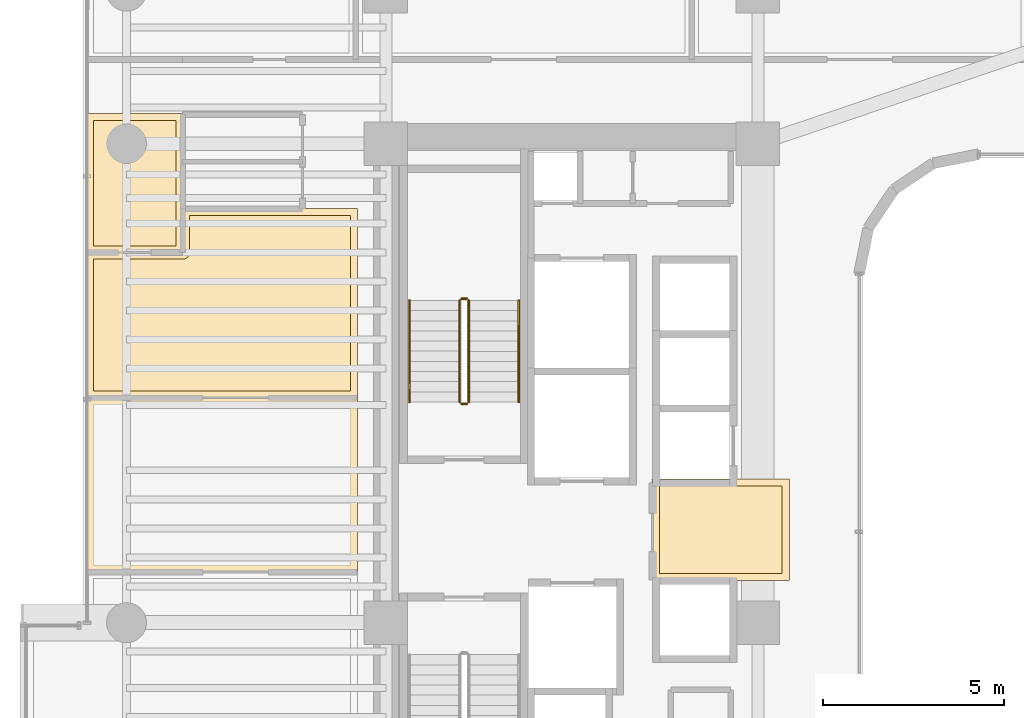
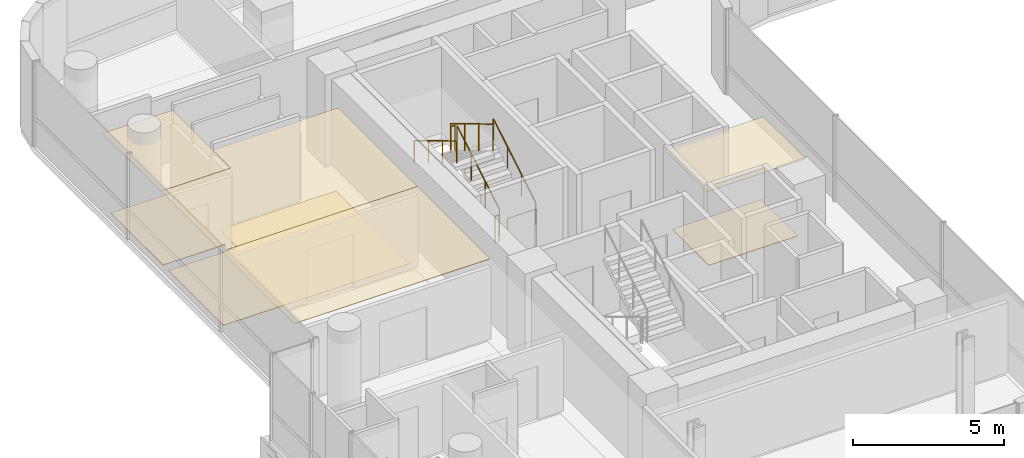
# One storey, part 34 of 37: 7 coverings, 6 railings.
"""IFC4 building model written with IfcOpenShell, lengths in metres."""

from ifc_helpers import new_model, si_unit, direction, frame, origin, origin_2d, place, context, subcontext, project, spatial, polyline, circle, outline, extrude, material, layer, layer_set, type_object, element, save


model = new_model("IFC4")

# Units and contexts
model_context = context("Model", 3, precision=1e-05, world=origin(), true_north=direction((0.0, 1.0)))
body_context = subcontext(model_context, "Body", "Model", "MODEL_VIEW")
ifc_project = project(units=[si_unit("LENGTHUNIT", "METRE"), si_unit("AREAUNIT", "SQUARE_METRE"), si_unit("VOLUMEUNIT", "CUBIC_METRE"), si_unit("PLANEANGLEUNIT", "RADIAN"), si_unit("MASSUNIT", "GRAM", prefix="KILO")], contexts=[model_context])

# Site, building, storey
site_placement = place(None, origin())
site = spatial("IfcSite", under=ifc_project, at=site_placement, CompositionType="ELEMENT")
building_placement = place(site_placement, origin())
building = spatial("IfcBuilding", under=site, at=building_placement, Name="Valdorenza Pilgrim Sanctuary Tower", CompositionType="ELEMENT")
storey_placement = place(building_placement, frame((0.0, 0.0, 135.300048828125)))
storey = spatial("IfcBuildingStorey", under=building, at=storey_placement, Name="L34", CompositionType="ELEMENT", Elevation=135.300048828125)

# Coverings
ifc_material_1 = material(Name="Micro-perforated acoustic mineral ceiling tile", Category="gypsum")
ifc_layer_1 = layer(ifc_material_1, 0.02490234375, Name="Micro-perforated acoustic mineral ceiling tile")
ifc_layer_set_1 = layer_set([ifc_layer_1], Name="Micro-perforated acoustic mineral ceiling tile")
covering_type_1 = type_object("IfcCoveringType", Name="COV-CLG-ACU", PredefinedType="CEILING", material=ifc_layer_set_1)
covering_1_placement = place(storey_placement, frame((0.0, 0.0, 3.159912109375)))
element("IfcCovering", 1, at=covering_1_placement, inside=storey, type_object=covering_type_1, Name="L34 Core A Passenger Lift Lobby Acoustic Ceiling", PredefinedType="CEILING", context=body_context, shape_type="SweptSolid", body=[
    extrude(outline(polyline([(-15.31298828125, 1.244384765625), (-15.31298828125, 1.24462890625), (-15.313720703125, 1.24609375), (-15.314208984375, 1.24755859375), (-15.314697265625, 1.2490234375), (-15.31494140625, 1.25048828125), (-15.31494140625, 1.251953125), (-15.31494140625, 1.35009765625), (-15.31494140625, 1.3515625), (-15.314697265625, 1.352783203125), (-15.314453125, 1.3544921875), (-15.31396484375, 1.355712890625), (-15.313232421875, 1.357177734375), (-15.3125, 1.3583984375), (-15.3115234375, 1.359619140625), (-15.310546875, 1.360595703125), (-15.3095703125, 1.361572265625), (-15.308349609375, 1.362548828125), (-15.30712890625, 1.36328125), (-15.3056640625, 1.364013671875), (-15.304443359375, 1.364501953125), (-15.302978515625, 1.36474609375), (-15.301513671875, 1.364990234375), (-15.300048828125, 1.364990234375), (-15.10205078125, 1.364990234375), (-15.1005859375, 1.364990234375), (-15.09912109375, 1.36474609375), (-15.097412109375, 1.3642578125), (-15.09619140625, 1.36376953125), (-15.0947265625, 1.363037109375), (-15.094482421875, 1.363037109375), (-13.185546875, 1.363037109375), (-13.185302734375, 1.363037109375), (-13.183837890625, 1.36376953125), (-13.1826171875, 1.3642578125), (-13.180908203125, 1.36474609375), (-13.179443359375, 1.364990234375), (-13.177978515625, 1.364990234375), (-11.550048828125, 1.364990234375), (-11.548583984375, 1.364990234375), (-11.547119140625, 1.36474609375), (-11.545654296875, 1.364501953125), (-11.544189453125, 1.364013671875), (-11.54296875, 1.36328125), (-11.541748046875, 1.362548828125), (-11.54052734375, 1.361572265625), (-11.539306640625, 1.360595703125), (-11.538330078125, 1.359619140625), (-11.53759765625, 1.3583984375), (-11.536865234375, 1.357177734375), (-11.5361328125, 1.355712890625), (-11.53564453125, 1.3544921875), (-11.535400390625, 1.352783203125), (-11.53515625, 1.3515625), (-11.534912109375, 1.35009765625), (-11.534912109375, -1.419921875), (-11.53515625, -1.42138671875), (-11.535400390625, -1.4228515625), (-11.53564453125, -1.42431640625), (-11.5361328125, -1.42578125), (-11.536865234375, -1.427001953125), (-11.53759765625, -1.42822265625), (-11.538330078125, -1.429443359375), (-11.539306640625, -1.4306640625), (-11.54052734375, -1.431640625), (-11.541748046875, -1.4326171875), (-11.54296875, -1.43310546875), (-11.544189453125, -1.433837890625), (-11.545654296875, -1.434326171875), (-11.547119140625, -1.434814453125), (-11.548583984375, -1.434814453125), (-11.550048828125, -1.43505859375), (-15.298095703125, -1.43505859375), (-15.299560546875, -1.434814453125), (-15.30078125, -1.434814453125), (-15.302490234375, -1.434326171875), (-15.3037109375, -1.433837890625), (-15.30517578125, -1.43310546875), (-15.306396484375, -1.4326171875), (-15.3076171875, -1.431640625), (-15.30859375, -1.4306640625), (-15.3095703125, -1.429443359375), (-15.310546875, -1.42822265625), (-15.311279296875, -1.427001953125), (-15.31201171875, -1.42578125), (-15.3125, -1.42431640625), (-15.312744140625, -1.4228515625), (-15.31298828125, -1.42138671875), (-15.31298828125, -1.419921875), (-15.31298828125, 1.244384765625)])), origin(), (0.0, 0.0, 1.0), 0.025146484375),
])
covering_2_placement = place(storey_placement, frame((0.0, 0.0, 3.159912109375)))
element("IfcCovering", 2, at=covering_2_placement, inside=storey, type_object=covering_type_1, Name="L34 Pastoral Scholar Office L34-CN1 Acoustic Ceiling", PredefinedType="CEILING", context=body_context, shape_type="SweptSolid", body=[
    extrude(outline(polyline([(-28.237060546875, 8.805419921875), (-28.23681640625, 8.805419921875), (-28.236083984375, 8.803955078125), (-28.235595703125, 8.802490234375), (-28.2353515625, 8.801025390625), (-28.235107421875, 8.799560546875), (-28.235107421875, 8.798095703125), (-28.235107421875, 7.60009765625), (-28.235107421875, 7.598388671875), (-28.2353515625, 7.59716796875), (-28.235595703125, 7.595703125), (-28.236083984375, 7.59423828125), (-28.23681640625, 7.593017578125), (-28.237548828125, 7.591796875), (-28.23828125, 7.590576171875), (-28.239501953125, 7.58935546875), (-28.240478515625, 7.58837890625), (-28.24169921875, 7.58740234375), (-28.242919921875, 7.5869140625), (-28.244384765625, 7.586181640625), (-28.24560546875, 7.585693359375), (-28.2470703125, 7.585205078125), (-28.24853515625, 7.585205078125), (-28.25, 7.5849609375), (-30.889892578125, 7.5849609375), (-30.8916015625, 7.585205078125), (-30.892822265625, 7.585205078125), (-30.894287109375, 7.585693359375), (-30.895751953125, 7.586181640625), (-30.897216796875, 7.5869140625), (-30.898193359375, 7.58740234375), (-30.8994140625, 7.58837890625), (-30.900634765625, 7.58935546875), (-30.901611328125, 7.590576171875), (-30.902587890625, 7.591796875), (-30.9033203125, 7.593017578125), (-30.90380859375, 7.59423828125), (-30.904296875, 7.595703125), (-30.90478515625, 7.59716796875), (-30.90478515625, 7.598388671875), (-30.905029296875, 7.60009765625), (-30.905029296875, 11.419921875), (-30.90478515625, 11.42138671875), (-30.90478515625, 11.4228515625), (-30.904296875, 11.42431640625), (-30.90380859375, 11.42578125), (-30.9033203125, 11.427001953125), (-30.902587890625, 11.42822265625), (-30.901611328125, 11.429443359375), (-30.900634765625, 11.4306640625), (-30.8994140625, 11.431640625), (-30.898193359375, 11.4326171875), (-30.897216796875, 11.43310546875), (-30.895751953125, 11.433837890625), (-30.894287109375, 11.434326171875), (-30.892822265625, 11.434814453125), (-30.8916015625, 11.434814453125), (-30.889892578125, 11.43505859375), (-28.25, 11.43505859375), (-28.24853515625, 11.434814453125), (-28.2470703125, 11.434814453125), (-28.24560546875, 11.434326171875), (-28.244384765625, 11.433837890625), (-28.242919921875, 11.43310546875), (-28.24169921875, 11.4326171875), (-28.240478515625, 11.431640625), (-28.239501953125, 11.4306640625), (-28.23828125, 11.429443359375), (-28.237548828125, 11.42822265625), (-28.23681640625, 11.427001953125), (-28.236083984375, 11.42578125), (-28.235595703125, 11.42431640625), (-28.2353515625, 11.4228515625), (-28.235107421875, 11.42138671875), (-28.235107421875, 11.419921875), (-28.235107421875, 11.402099609375), (-28.235107421875, 11.400390625), (-28.2353515625, 11.39892578125), (-28.235595703125, 11.3974609375), (-28.236083984375, 11.39599609375), (-28.23681640625, 11.394775390625), (-28.237060546875, 11.39453125), (-28.237060546875, 10.103759765625), (-28.23681640625, 10.10302734375), (-28.23681640625, 10.1015625), (-28.23681640625, 10.10009765625), (-28.23681640625, 10.098388671875), (-28.237060546875, 10.09814453125), (-28.237060546875, 8.805419921875)])), origin(), (0.0, 0.0, 1.0), 0.025146484375),
])
covering_3_placement = place(storey_placement, frame((0.0, 0.0, 3.159912109375)))
element("IfcCovering", 3, at=covering_3_placement, inside=storey, type_object=covering_type_1, Name="L34 Pilgrim Reading Lounge L34 Acoustic Ceiling", PredefinedType="CEILING", context=body_context, shape_type="SweptSolid", body=[
    extrude(outline(polyline([(-23.43505859375, -1.197998046875), (-23.43505859375, -1.199462890625), (-23.435302734375, -1.200927734375), (-23.435546875, -1.202392578125), (-23.43603515625, -1.20361328125), (-23.436767578125, -1.205078125), (-23.4375, -1.206298828125), (-23.4384765625, -1.20751953125), (-23.439453125, -1.20849609375), (-23.4404296875, -1.209716796875), (-23.441650390625, -1.21044921875), (-23.44287109375, -1.211181640625), (-23.4443359375, -1.2119140625), (-23.445556640625, -1.21240234375), (-23.447021484375, -1.212646484375), (-23.448486328125, -1.212890625), (-23.449951171875, -1.212890625), (-30.889892578125, -1.212890625), (-30.8916015625, -1.212890625), (-30.892822265625, -1.212646484375), (-30.894287109375, -1.21240234375), (-30.895751953125, -1.2119140625), (-30.897216796875, -1.211181640625), (-30.898193359375, -1.21044921875), (-30.8994140625, -1.209716796875), (-30.900634765625, -1.20849609375), (-30.901611328125, -1.20751953125), (-30.902587890625, -1.206298828125), (-30.9033203125, -1.205078125), (-30.90380859375, -1.20361328125), (-30.904296875, -1.202392578125), (-30.90478515625, -1.200927734375), (-30.90478515625, -1.199462890625), (-30.905029296875, -1.197998046875), (-30.905029296875, 3.60009765625), (-30.90478515625, 3.6015625), (-30.90478515625, 3.602783203125), (-30.904296875, 3.6044921875), (-30.90380859375, 3.605712890625), (-30.9033203125, 3.607177734375), (-30.902587890625, 3.6083984375), (-30.901611328125, 3.609619140625), (-30.900634765625, 3.610595703125), (-30.8994140625, 3.611572265625), (-30.898193359375, 3.612548828125), (-30.897216796875, 3.61328125), (-30.895751953125, 3.614013671875), (-30.894287109375, 3.614501953125), (-30.892822265625, 3.61474609375), (-30.8916015625, 3.614990234375), (-30.889892578125, 3.614990234375), (-23.449951171875, 3.614990234375), (-23.448486328125, 3.614990234375), (-23.447021484375, 3.61474609375), (-23.445556640625, 3.614501953125), (-23.4443359375, 3.614013671875), (-23.44287109375, 3.61328125), (-23.441650390625, 3.612548828125), (-23.4404296875, 3.611572265625), (-23.439453125, 3.610595703125), (-23.4384765625, 3.609619140625), (-23.4375, 3.6083984375), (-23.436767578125, 3.607177734375), (-23.43603515625, 3.605712890625), (-23.435546875, 3.6044921875), (-23.435302734375, 3.602783203125), (-23.43505859375, 3.6015625), (-23.43505859375, 3.60009765625), (-23.43505859375, -1.197998046875)])), origin(), (0.0, 0.0, 1.0), 0.025146484375),
])
covering_4_placement = place(storey_placement, frame((0.0, 0.0, 3.159912109375)))
element("IfcCovering", 4, at=covering_4_placement, inside=storey, type_object=covering_type_1, Name="L34 North Contemplation Salon L34 Acoustic Ceiling", PredefinedType="CEILING", context=body_context, shape_type="SweptSolid", body=[
    extrude(outline(polyline([(-28.262939453125, 7.613037109375), (-28.262939453125, 8.798095703125), (-28.262939453125, 8.799560546875), (-28.2626953125, 8.80078125), (-28.262451171875, 8.802490234375), (-28.261962890625, 8.8037109375), (-28.26123046875, 8.80517578125), (-28.260498046875, 8.806396484375), (-28.259521484375, 8.8076171875), (-28.258544921875, 8.80859375), (-28.257568359375, 8.8095703125), (-28.25634765625, 8.810546875), (-28.255126953125, 8.811279296875), (-28.253662109375, 8.81201171875), (-28.25244140625, 8.8125), (-28.2509765625, 8.812744140625), (-28.24951171875, 8.81298828125), (-28.248046875, 8.81298828125), (-24.955322265625, 8.81298828125), (-24.954833984375, 8.813232421875), (-24.95361328125, 8.81396484375), (-24.9521484375, 8.814453125), (-24.95068359375, 8.814697265625), (-24.949462890625, 8.81494140625), (-24.947998046875, 8.81494140625), (-23.449951171875, 8.81494140625), (-23.448486328125, 8.81494140625), (-23.447021484375, 8.814697265625), (-23.445556640625, 8.814453125), (-23.4443359375, 8.81396484375), (-23.44287109375, 8.813232421875), (-23.441650390625, 8.8125), (-23.4404296875, 8.8115234375), (-23.439453125, 8.810546875), (-23.4384765625, 8.8095703125), (-23.4375, 8.808349609375), (-23.436767578125, 8.80712890625), (-23.43603515625, 8.8056640625), (-23.435546875, 8.804443359375), (-23.435302734375, 8.802978515625), (-23.43505859375, 8.801513671875), (-23.43505859375, 8.800048828125), (-23.43505859375, 3.60205078125), (-23.43505859375, 3.6005859375), (-23.435302734375, 3.59912109375), (-23.435546875, 3.59765625), (-23.43603515625, 3.59619140625), (-23.436767578125, 3.594970703125), (-23.4375, 3.59375), (-23.4384765625, 3.592529296875), (-23.439453125, 3.59130859375), (-23.4404296875, 3.59033203125), (-23.441650390625, 3.589599609375), (-23.44287109375, 3.5888671875), (-23.4443359375, 3.588134765625), (-23.445556640625, 3.587646484375), (-23.447021484375, 3.58740234375), (-23.448486328125, 3.587158203125), (-23.449951171875, 3.5869140625), (-30.889892578125, 3.5869140625), (-30.8916015625, 3.587158203125), (-30.892822265625, 3.58740234375), (-30.894287109375, 3.587646484375), (-30.895751953125, 3.588134765625), (-30.897216796875, 3.5888671875), (-30.898193359375, 3.589599609375), (-30.8994140625, 3.59033203125), (-30.900634765625, 3.59130859375), (-30.901611328125, 3.592529296875), (-30.902587890625, 3.59375), (-30.9033203125, 3.594970703125), (-30.90380859375, 3.59619140625), (-30.904296875, 3.59765625), (-30.90478515625, 3.59912109375), (-30.90478515625, 3.6005859375), (-30.905029296875, 3.60205078125), (-30.905029296875, 7.597900390625), (-30.90478515625, 7.599609375), (-30.90478515625, 7.600830078125), (-30.904296875, 7.602294921875), (-30.90380859375, 7.603759765625), (-30.9033203125, 7.60498046875), (-30.902587890625, 7.606201171875), (-30.901611328125, 7.607421875), (-30.900634765625, 7.608642578125), (-30.8994140625, 7.609619140625), (-30.898193359375, 7.610595703125), (-30.897216796875, 7.611083984375), (-30.895751953125, 7.61181640625), (-30.894287109375, 7.6123046875), (-30.892822265625, 7.61279296875), (-30.8916015625, 7.61279296875), (-30.889892578125, 7.613037109375), (-28.262939453125, 7.613037109375)])), origin(), (0.0, 0.0, 1.0), 0.025146484375),
])
ifc_material_2 = material(Name="Honed travertine stone flooring", Category="masonry")
ifc_layer_2 = layer(ifc_material_2, 0.030029296875, Name="Honed travertine stone flooring")
ifc_layer_set_2 = layer_set([ifc_layer_2], Name="Honed travertine stone flooring")
covering_type_2 = type_object("IfcCoveringType", Name="COV-FLR-TRV", PredefinedType="FLOORING", material=ifc_layer_set_2)
covering_5_placement = place(storey_placement, origin())
element("IfcCovering", 5, at=covering_5_placement, inside=storey, type_object=covering_type_2, Name="L34 Core A Passenger Lift Lobby Flooring", PredefinedType="FLOORING", context=body_context, shape_type="SweptSolid", body=[
    extrude(outline(polyline([(-15.117919921875, 1.169189453125), (-15.10888671875, 1.168212890625), (-15.10888671875, 1.168212890625), (-15.10009765625, 1.16796875), (-13.179931640625, 1.16796875), (-13.1796875, 1.16796875), (-11.72998046875, 1.169921875), (-11.72998046875, -1.239990234375), (-15.117919921875, -1.239990234375), (-15.117919921875, 1.169189453125)])), origin(), (0.0, 0.0, 1.0), 0.02490234375),
])
covering_6_placement = place(storey_placement, origin())
element("IfcCovering", 6, at=covering_6_placement, inside=storey, type_object=covering_type_2, Name="L34 Pastoral Scholar Office L34-CN1 Flooring", PredefinedType="FLOORING", context=body_context, shape_type="SweptSolid", body=[
    extrude(outline(polyline([(-28.431884765625, 11.239990234375), (-28.431884765625, 10.10205078125), (-28.431884765625, 10.10107421875), (-28.431884765625, 10.100341796875), (-28.431884765625, 10.10009765625), (-28.431884765625, 8.800048828125), (-28.431884765625, 8.7998046875), (-28.430419921875, 7.780029296875), (-30.7099609375, 7.780029296875), (-30.7099609375, 11.239990234375), (-28.431884765625, 11.239990234375)])), origin(), (0.0, 0.0, 1.0), 0.02490234375),
])
covering_7_placement = place(storey_placement, origin())
element("IfcCovering", 7, at=covering_7_placement, inside=storey, type_object=covering_type_2, Name="L34 North Contemplation Salon L34 Flooring", PredefinedType="FLOORING", context=body_context, shape_type="SweptSolid", body=[
    extrude(outline(polyline([(-23.6298828125, 8.619873046875), (-23.6298828125, 3.781982421875), (-30.7099609375, 3.781982421875), (-30.7099609375, 7.41796875), (-28.25, 7.41796875), (-28.2412109375, 7.418212890625), (-28.240966796875, 7.418212890625), (-28.223388671875, 7.419921875), (-28.22314453125, 7.419921875), (-28.205810546875, 7.42333984375), (-28.205810546875, 7.423583984375), (-28.188720703125, 7.4287109375), (-28.188720703125, 7.4287109375), (-28.17236328125, 7.435302734375), (-28.172119140625, 7.435546875), (-28.156494140625, 7.44384765625), (-28.156494140625, 7.44384765625), (-28.1416015625, 7.453857421875), (-28.1416015625, 7.453857421875), (-28.1279296875, 7.465087890625), (-28.127685546875, 7.465087890625), (-28.115234375, 7.477783203125), (-28.114990234375, 7.477783203125), (-28.10400390625, 7.491455078125), (-28.103759765625, 7.49169921875), (-28.093994140625, 7.50634765625), (-28.09375, 7.506591796875), (-28.08544921875, 7.522216796875), (-28.08544921875, 7.522216796875), (-28.07861328125, 7.53857421875), (-28.07861328125, 7.538818359375), (-28.073486328125, 7.5556640625), (-28.073486328125, 7.555908203125), (-28.070068359375, 7.5732421875), (-28.070068359375, 7.573486328125), (-28.068115234375, 7.591064453125), (-28.068115234375, 7.59130859375), (-28.068115234375, 7.60009765625), (-28.068115234375, 8.617919921875), (-24.949951171875, 8.617919921875), (-24.94970703125, 8.617919921875), (-23.6298828125, 8.619873046875)])), origin(), (0.0, 0.0, 1.0), 0.02490234375),
])

# Railings
ifc_material_3 = material(Name="Stainless steel Grade 316", Category="steel")
railing_type_1 = type_object("IfcRailingType", Name="RLG-GRD-1120", PredefinedType="GUARDRAIL", material=ifc_material_3)
railing_1_placement = place(storey_placement, frame((-20.3701171875, 3.47998046875, 0.168212890625)))
element("IfcRailing", 8, at=railing_1_placement, inside=storey, type_object=railing_type_1, Name="L34 ST-A1 stair guard 1", PredefinedType="GUARDRAIL", context=body_context, shape_type="SweptSolid", body=[
    extrude(circle(Radius=0.02392578125, at=origin_2d()), frame((0.0, 0.0, 1.076171875), z_axis=(0.0, 0.857275202839, 0.514858452973), x_axis=(-1.0, 0.0, 0.0)), (0.0, 0.0, 1.0), 3.26611328125),
    extrude(circle(Radius=0.02099609375, at=origin_2d()), origin(), (0.0, 0.0, 1.0), 1.052001953125),
    extrude(circle(Radius=0.02099609375, at=origin_2d()), frame((0.0, 0.933349609375, 0.560546875)), (0.0, 0.0, 1.0), 1.052001953125),
    extrude(circle(Radius=0.02099609375, at=origin_2d()), frame((0.0, 1.86669921875, 1.12109375)), (0.0, 0.0, 1.0), 1.052001953125),
    extrude(circle(Radius=0.02099609375, at=origin_2d()), frame((0.0, 2.800048828125, 1.681640625)), (0.0, 0.0, 1.0), 1.052001953125),
])
railing_2_placement = place(storey_placement, frame((-20.419921875, 6.330078125, 1.849853515625)))
element("IfcRailing", 9, at=railing_2_placement, inside=storey, type_object=railing_type_1, Name="L34 ST-A1 stair guard 2", PredefinedType="GUARDRAIL", context=body_context, shape_type="SweptSolid", body=[
    extrude(circle(Radius=0.02392578125, at=origin_2d()), frame((0.0, 0.0, 1.076171875), z_axis=(-1.0, 0.0, 0.0), x_axis=(0.0, -1.0, 0.0)), (0.0, 0.0, 1.0), 0.150146484375),
    extrude(circle(Radius=0.02099609375, at=origin_2d()), origin(), (0.0, 0.0, 1.0), 1.052001953125),
    extrude(circle(Radius=0.02099609375, at=origin_2d()), frame((-0.150146484375, 0.0, 0.0)), (0.0, 0.0, 1.0), 1.052001953125),
])
railing_3_placement = place(storey_placement, frame((-20.6201171875, 6.280029296875, 2.01806640625)))
element("IfcRailing", 10, at=railing_3_placement, inside=storey, type_object=railing_type_1, Name="L34 ST-A1 stair guard 3", PredefinedType="GUARDRAIL", context=body_context, shape_type="SweptSolid", body=[
    extrude(circle(Radius=0.02392578125, at=origin_2d()), frame((0.0, 0.0, 1.076171875), z_axis=(0.0, -0.857242210791, 0.514913383045), x_axis=(1.0, 0.0, 0.0)), (0.0, 0.0, 1.0), 3.266357421875),
    extrude(circle(Radius=0.02099609375, at=origin_2d()), origin(), (0.0, 0.0, 1.0), 1.052001953125),
    extrude(circle(Radius=0.02099609375, at=origin_2d()), frame((0.0, -0.933349609375, 0.560546875)), (0.0, 0.0, 1.0), 1.052001953125),
    extrude(circle(Radius=0.02099609375, at=origin_2d()), frame((0.0, -1.86669921875, 1.121337890625)), (0.0, 0.0, 1.0), 1.052001953125),
    extrude(circle(Radius=0.02099609375, at=origin_2d()), frame((0.0, -2.800048828125, 1.681884765625)), (0.0, 0.0, 1.0), 1.052001953125),
])
railing_4_placement = place(storey_placement, frame((-20.419921875, 3.429931640625, 0.0)))
element("IfcRailing", 11, at=railing_4_placement, inside=storey, type_object=railing_type_1, Name="L34 ST-A1 stair guard 4", PredefinedType="GUARDRAIL", context=body_context, shape_type="SweptSolid", body=[
    extrude(circle(Radius=0.02392578125, at=origin_2d()), frame((0.0, 0.0, 1.076171875), z_axis=(-1.0, 0.0, 0.0), x_axis=(0.0, -1.0, 0.0)), (0.0, 0.0, 1.0), 0.150146484375),
    extrude(circle(Radius=0.02099609375, at=origin_2d()), origin(), (0.0, 0.0, 1.0), 1.052001953125),
    extrude(circle(Radius=0.02099609375, at=origin_2d()), frame((-0.150146484375, 0.0, 0.0)), (0.0, 0.0, 1.0), 1.052001953125),
])
ifc_material_4 = material(Name="Brushed stainless steel Grade 316", Category="steel")
railing_type_2 = type_object("IfcRailingType", Name="RLG-HND-920", PredefinedType="HANDRAIL", material=ifc_material_4)
railing_5_placement = place(storey_placement, frame((-18.989990234375, 3.47998046875, 0.168212890625)))
element("IfcRailing", 12, at=railing_5_placement, inside=storey, type_object=railing_type_2, Name="L34 ST-A1 stair handrail 1", PredefinedType="HANDRAIL", context=body_context, shape_type="SweptSolid", body=[
    extrude(circle(Radius=0.02392578125, at=origin_2d()), frame((0.0, 0.0, 0.8759765625), z_axis=(0.0, 0.857275202839, 0.514858452973), x_axis=(-1.0, 0.0, 0.0)), (0.0, 0.0, 1.0), 3.26611328125),
    extrude(circle(Radius=0.02099609375, at=origin_2d()), origin(), (0.0, 0.0, 1.0), 0.851806640625),
    extrude(circle(Radius=0.02099609375, at=origin_2d()), frame((0.0, 0.933349609375, 0.560546875)), (0.0, 0.0, 1.0), 0.851806640625),
    extrude(circle(Radius=0.02099609375, at=origin_2d()), frame((0.0, 1.86669921875, 1.12109375)), (0.0, 0.0, 1.0), 0.851806640625),
    extrude(circle(Radius=0.02099609375, at=origin_2d()), frame((0.0, 2.800048828125, 1.681640625)), (0.0, 0.0, 1.0), 0.851806640625),
])
railing_6_placement = place(storey_placement, frame((-22.0, 6.280029296875, 2.01806640625)))
element("IfcRailing", 13, at=railing_6_placement, inside=storey, type_object=railing_type_2, Name="L34 ST-A1 stair handrail 2", PredefinedType="HANDRAIL", context=body_context, shape_type="SweptSolid", body=[
    extrude(circle(Radius=0.02392578125, at=origin_2d()), frame((0.0, 0.0, 0.8759765625), z_axis=(0.0, -0.857242210791, 0.514913383045), x_axis=(1.0, 0.0, 0.0)), (0.0, 0.0, 1.0), 3.266357421875),
    extrude(circle(Radius=0.02099609375, at=origin_2d()), origin(), (0.0, 0.0, 1.0), 0.851806640625),
    extrude(circle(Radius=0.02099609375, at=origin_2d()), frame((0.0, -0.933349609375, 0.560546875)), (0.0, 0.0, 1.0), 0.851806640625),
    extrude(circle(Radius=0.02099609375, at=origin_2d()), frame((0.0, -1.86669921875, 1.121337890625)), (0.0, 0.0, 1.0), 0.851806640625),
    extrude(circle(Radius=0.02099609375, at=origin_2d()), frame((0.0, -2.800048828125, 1.681884765625)), (0.0, 0.0, 1.0), 0.851806640625),
])

save(model, "model.ifc")
